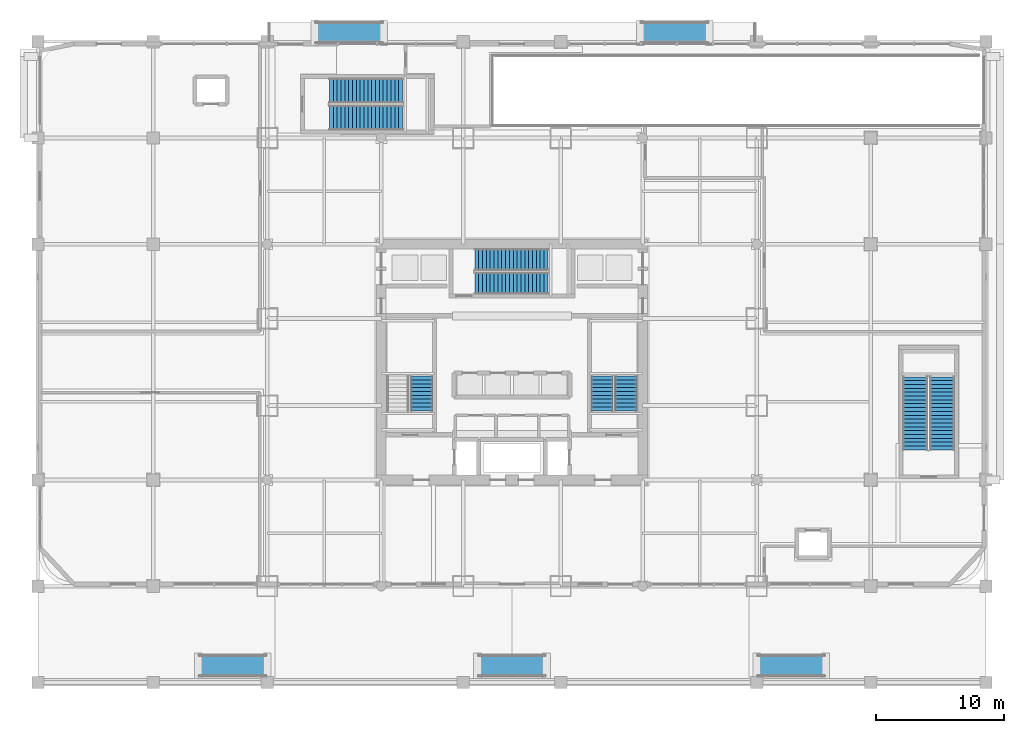
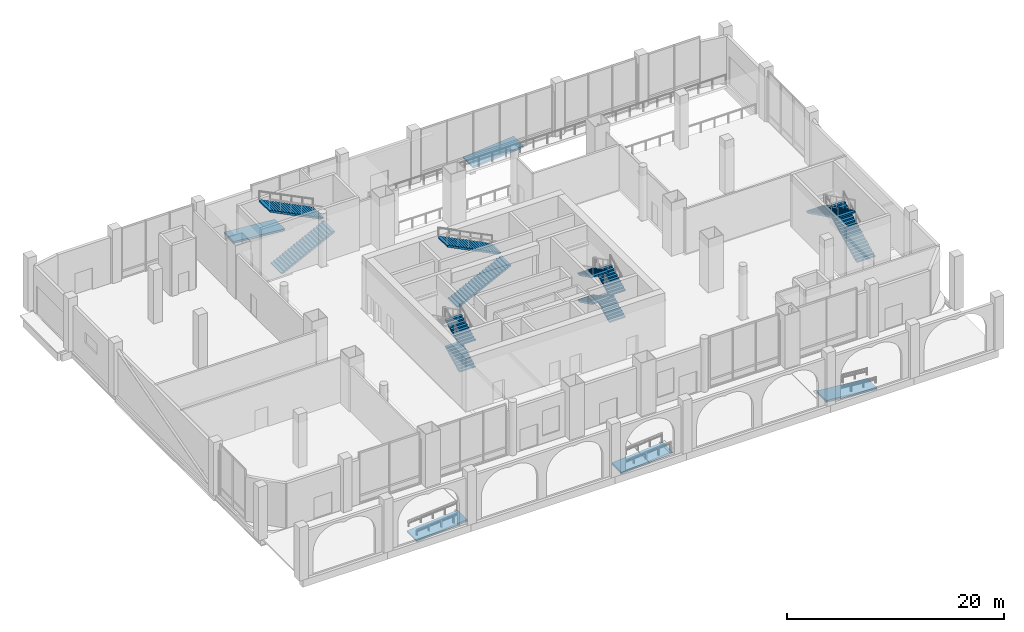
# One storey, part 24 of 32: 12 stair flights, 5 ramp flights, 10 elements without a shape of their own.
"""IFC4 building model written with IfcOpenShell, lengths in metres."""

from ifc_helpers import new_model, si_unit, direction, frame, origin, place, context, subcontext, project, spatial, polyline, outline, extrude, material, layer, layer_set, type_object, element, aggregate, save


model = new_model("IFC4")

# Units and contexts
model_context = context("Model", 3, precision=1e-05, world=origin(), true_north=direction((0.0, 1.0)))
body_context = subcontext(model_context, "Body", "Model", "MODEL_VIEW")
ifc_project = project(units=[si_unit("LENGTHUNIT", "METRE"), si_unit("AREAUNIT", "SQUARE_METRE"), si_unit("VOLUMEUNIT", "CUBIC_METRE"), si_unit("PLANEANGLEUNIT", "RADIAN"), si_unit("MASSUNIT", "GRAM", prefix="KILO")], contexts=[model_context])

# Site, building, storey
site_placement = place(None, origin())
site = spatial("IfcSite", under=ifc_project, at=site_placement, CompositionType="ELEMENT")
building_placement = place(site_placement, origin())
building = spatial("IfcBuilding", under=site, at=building_placement, Name="Punatoya Terracotta Tower", CompositionType="ELEMENT")
storey_placement = place(building_placement, origin())
storey = spatial("IfcBuildingStorey", under=building, at=storey_placement, Name="L00", CompositionType="ELEMENT", Elevation=0.0)

# Stair, stair flights
ifc_material = material(Name="Concrete C40/50", Category="concrete")
stair_type_1 = type_object("IfcStairType", Name="STR-CORE-1550", PredefinedType="HALF_TURN_STAIR", material=ifc_material)
stair_1_placement = place(storey_placement, origin())
stair_1 = element("IfcStair", 1, at=stair_1_placement, inside=storey, type_object=stair_type_1, Name="L00 Protected Core Exit Stair ST-1", PredefinedType="HALF_TURN_STAIR")
stair_flight_type_1 = type_object("IfcStairFlightType", Name="SFL-CORE-1550", PredefinedType="STRAIGHT", material=ifc_material)
stair_flight_1_placement = place(storey_placement, frame((-7.050048828125, -3.800048828125, 0.0), z_axis=(0.0, 0.0, 1.0), x_axis=(0.0, 1.0, 0.0)))
stair_flight_1 = element("IfcStairFlight", 2, at=stair_flight_1_placement, type_object=stair_flight_type_1, Name="ST-1 flight 1", NumberOfRisers=10, NumberOfTreads=9, PredefinedType="STRAIGHT", RiserHeight=0.15, TreadLength=0.3, context=body_context, shape_type="SweptSolid", body=[
    extrude(outline(polyline([(0.0, 0.0), (0.0, 0.14990234375), (0.300048828125, 0.14990234375), (0.300048828125, 0.300048828125), (0.60009765625, 0.300048828125), (0.60009765625, 0.449951171875), (0.89990234375, 0.449951171875), (0.89990234375, 0.60009765625), (1.199951171875, 0.60009765625), (1.199951171875, 0.75), (1.5, 0.75), (1.5, 0.89990234375), (1.800048828125, 0.89990234375), (1.800048828125, 1.050048828125), (2.10009765625, 1.050048828125), (2.10009765625, 1.199951171875), (2.39990234375, 1.199951171875), (2.39990234375, 1.35009765625), (2.699951171875, 1.35009765625), (2.699951171875, 1.5), (2.699951171875, 1.182373046875), (0.335205078125, 0.0), (0.0, 0.0)])), frame((0.0, 0.85009765625, 0.0), z_axis=(0.0, -1.0, 0.0), x_axis=(1.0, 0.0, 0.0)), (0.0, 0.0, 1.0), 1.699951171875),
])
stair_flight_2_placement = place(storey_placement, frame((-7.050048828125, -3.800048828125, 3.0), z_axis=(0.0, 0.0, 1.0), x_axis=(0.0, 1.0, 0.0)))
stair_flight_2 = element("IfcStairFlight", 3, at=stair_flight_2_placement, type_object=stair_flight_type_1, Name="ST-1 flight 3", NumberOfRisers=10, NumberOfTreads=9, PredefinedType="STRAIGHT", RiserHeight=0.15, TreadLength=0.3, context=body_context, shape_type="SweptSolid", body=[
    extrude(outline(polyline([(0.0, 0.0), (0.0, 0.14990234375), (0.300048828125, 0.14990234375), (0.300048828125, 0.300048828125), (0.60009765625, 0.300048828125), (0.60009765625, 0.449951171875), (0.89990234375, 0.449951171875), (0.89990234375, 0.60009765625), (1.199951171875, 0.60009765625), (1.199951171875, 0.75), (1.5, 0.75), (1.5, 0.89990234375), (1.800048828125, 0.89990234375), (1.800048828125, 1.050048828125), (2.10009765625, 1.050048828125), (2.10009765625, 1.199951171875), (2.39990234375, 1.199951171875), (2.39990234375, 1.35009765625), (2.699951171875, 1.35009765625), (2.699951171875, 1.5), (2.699951171875, 1.182373046875), (0.335205078125, 0.0), (0.0, 0.0)])), frame((0.0, 0.85009765625, 0.0), z_axis=(0.0, -1.0, 0.0), x_axis=(1.0, 0.0, 0.0)), (0.0, 0.0, 1.0), 1.699951171875),
])
aggregate(stair_1, [stair_flight_1, stair_flight_2])

stair_type_2 = type_object("IfcStairType", Name="STR-LOB-1650", PredefinedType="HALF_TURN_STAIR", material=ifc_material)
stair_2_placement = place(storey_placement, origin())
stair_2 = element("IfcStair", 4, at=stair_2_placement, inside=storey, type_object=stair_type_2, Name="L00 Protected Core Exit Stair ST-2", PredefinedType="HALF_TURN_STAIR")
stair_flight_type_2 = type_object("IfcStairFlightType", Name="SFL-LOB-1650", PredefinedType="STRAIGHT", material=ifc_material)
stair_flight_3_placement = place(storey_placement, frame((8.89990234375, -3.800048828125, 0.0), z_axis=(0.0, 0.0, 1.0), x_axis=(0.0, 1.0, 0.0)))
stair_flight_3 = element("IfcStairFlight", 5, at=stair_flight_3_placement, type_object=stair_flight_type_2, Name="ST-2 flight 1", NumberOfRisers=10, NumberOfTreads=9, PredefinedType="STRAIGHT", RiserHeight=0.15, TreadLength=0.3, context=body_context, shape_type="SweptSolid", body=[
    extrude(outline(polyline([(0.0, 0.0), (0.0, 0.14990234375), (0.300048828125, 0.14990234375), (0.300048828125, 0.300048828125), (0.60009765625, 0.300048828125), (0.60009765625, 0.449951171875), (0.89990234375, 0.449951171875), (0.89990234375, 0.60009765625), (1.199951171875, 0.60009765625), (1.199951171875, 0.75), (1.5, 0.75), (1.5, 0.89990234375), (1.800048828125, 0.89990234375), (1.800048828125, 1.050048828125), (2.10009765625, 1.050048828125), (2.10009765625, 1.199951171875), (2.39990234375, 1.199951171875), (2.39990234375, 1.35009765625), (2.699951171875, 1.35009765625), (2.699951171875, 1.5), (2.699951171875, 1.182373046875), (0.335205078125, 0.0), (0.0, 0.0)])), frame((0.0, 0.85009765625, 0.0), z_axis=(0.0, -1.0, 0.0), x_axis=(1.0, 0.0, 0.0)), (0.0, 0.0, 1.0), 1.699951171875),
])
stair_flight_4_placement = place(storey_placement, frame((7.050048828125, -1.10009765625, 1.5), z_axis=(0.0, 0.0, 1.0), x_axis=(0.0, -1.0, 0.0)))
stair_flight_4 = element("IfcStairFlight", 6, at=stair_flight_4_placement, type_object=stair_flight_type_2, Name="ST-2 flight 2", NumberOfRisers=10, NumberOfTreads=9, PredefinedType="STRAIGHT", RiserHeight=0.15, TreadLength=0.3, context=body_context, shape_type="SweptSolid", body=[
    extrude(outline(polyline([(0.0, 0.0), (0.0, 0.14990234375), (0.300048828125, 0.14990234375), (0.300048828125, 0.300048828125), (0.60009765625, 0.300048828125), (0.60009765625, 0.449951171875), (0.89990234375, 0.449951171875), (0.89990234375, 0.60009765625), (1.199951171875, 0.60009765625), (1.199951171875, 0.75), (1.5, 0.75), (1.5, 0.89990234375), (1.800048828125, 0.89990234375), (1.800048828125, 1.050048828125), (2.10009765625, 1.050048828125), (2.10009765625, 1.199951171875), (2.39990234375, 1.199951171875), (2.39990234375, 1.35009765625), (2.699951171875, 1.35009765625), (2.699951171875, 1.5), (2.699951171875, 1.182373046875), (0.335205078125, 0.0), (0.0, 0.0)])), frame((0.0, 0.85009765625, 0.0), z_axis=(0.0, -1.0, 0.0), x_axis=(1.0, 0.0, 0.0)), (0.0, 0.0, 1.0), 1.699951171875),
])
stair_flight_5_placement = place(storey_placement, frame((8.89990234375, -3.800048828125, 3.0), z_axis=(0.0, 0.0, 1.0), x_axis=(0.0, 1.0, 0.0)))
stair_flight_5 = element("IfcStairFlight", 7, at=stair_flight_5_placement, type_object=stair_flight_type_2, Name="ST-2 flight 3", NumberOfRisers=10, NumberOfTreads=9, PredefinedType="STRAIGHT", RiserHeight=0.15, TreadLength=0.3, context=body_context, shape_type="SweptSolid", body=[
    extrude(outline(polyline([(0.0, 0.0), (0.0, 0.14990234375), (0.300048828125, 0.14990234375), (0.300048828125, 0.300048828125), (0.60009765625, 0.300048828125), (0.60009765625, 0.449951171875), (0.89990234375, 0.449951171875), (0.89990234375, 0.60009765625), (1.199951171875, 0.60009765625), (1.199951171875, 0.75), (1.5, 0.75), (1.5, 0.89990234375), (1.800048828125, 0.89990234375), (1.800048828125, 1.050048828125), (2.10009765625, 1.050048828125), (2.10009765625, 1.199951171875), (2.39990234375, 1.199951171875), (2.39990234375, 1.35009765625), (2.699951171875, 1.35009765625), (2.699951171875, 1.5), (2.699951171875, 1.182373046875), (0.335205078125, 0.0), (0.0, 0.0)])), frame((0.0, 0.85009765625, 0.0), z_axis=(0.0, -1.0, 0.0), x_axis=(1.0, 0.0, 0.0)), (0.0, 0.0, 1.0), 1.699951171875),
])
stair_flight_6_placement = place(storey_placement, frame((7.050048828125, -1.10009765625, 4.5), z_axis=(0.0, 0.0, 1.0), x_axis=(0.0, -1.0, 0.0)))
stair_flight_6 = element("IfcStairFlight", 8, at=stair_flight_6_placement, type_object=stair_flight_type_2, Name="ST-2 flight 4", NumberOfRisers=10, NumberOfTreads=9, PredefinedType="STRAIGHT", RiserHeight=0.15, TreadLength=0.3, context=body_context, shape_type="SweptSolid", body=[
    extrude(outline(polyline([(0.0, 0.0), (0.0, 0.14990234375), (0.300048828125, 0.14990234375), (0.300048828125, 0.300048828125), (0.60009765625, 0.300048828125), (0.60009765625, 0.449951171875), (0.89990234375, 0.449951171875), (0.89990234375, 0.60009765625), (1.199951171875, 0.60009765625), (1.199951171875, 0.75), (1.5, 0.75), (1.5, 0.89990234375), (1.800048828125, 0.89990234375), (1.800048828125, 1.050048828125), (2.10009765625, 1.050048828125), (2.10009765625, 1.199951171875), (2.39990234375, 1.199951171875), (2.39990234375, 1.35009765625), (2.699951171875, 1.35009765625), (2.699951171875, 1.5), (2.699951171875, 1.182373046875), (0.335205078125, 0.0), (0.0, 0.0)])), frame((0.0, 0.85009765625, 0.0), z_axis=(0.0, -1.0, 0.0), x_axis=(1.0, 0.0, 0.0)), (0.0, 0.0, 1.0), 1.699951171875),
])
aggregate(stair_2, [stair_flight_3, stair_flight_4, stair_flight_5, stair_flight_6])

stair_type_3 = type_object("IfcStairType", Name="STR-POD-1800", PredefinedType="HALF_TURN_STAIR", material=ifc_material)
stair_3_placement = place(storey_placement, origin())
stair_3 = element("IfcStair", 9, at=stair_3_placement, inside=storey, type_object=stair_type_3, Name="L00 Podium North-West Exit Stair ST-P1", PredefinedType="HALF_TURN_STAIR")
stair_flight_type_3 = type_object("IfcStairFlightType", Name="SFL-POD-1800", PredefinedType="STRAIGHT", material=ifc_material)
stair_flight_7_placement = place(storey_placement, frame((-14.25, 19.074951171875, 0.0), z_axis=(0.0, 0.0, 1.0), x_axis=(1.0, 0.0, 0.0)))
stair_flight_7 = element("IfcStairFlight", 10, at=stair_flight_7_placement, type_object=stair_flight_type_3, Name="ST-P1 flight 1", NumberOfRisers=20, NumberOfTreads=19, PredefinedType="STRAIGHT", RiserHeight=0.15, TreadLength=0.3, context=body_context, shape_type="SweptSolid", body=[
    extrude(outline(polyline([(0.0, 0.0), (0.0, 0.14990234375), (0.300048828125, 0.14990234375), (0.300048828125, 0.300048828125), (0.60009765625, 0.300048828125), (0.60009765625, 0.449951171875), (0.89990234375, 0.449951171875), (0.89990234375, 0.60009765625), (1.199951171875, 0.60009765625), (1.199951171875, 0.75), (1.5, 0.75), (1.5, 0.89990234375), (1.800048828125, 0.89990234375), (1.800048828125, 1.050048828125), (2.10009765625, 1.050048828125), (2.10009765625, 1.199951171875), (2.39990234375, 1.199951171875), (2.39990234375, 1.35009765625), (2.699951171875, 1.35009765625), (2.699951171875, 1.5), (3.0, 1.5), (3.0, 1.64990234375), (3.300048828125, 1.64990234375), (3.300048828125, 1.800048828125), (3.60009765625, 1.800048828125), (3.60009765625, 1.949951171875), (3.89990234375, 1.949951171875), (3.89990234375, 2.10009765625), (4.199951171875, 2.10009765625), (4.199951171875, 2.25), (4.5, 2.25), (4.5, 2.39990234375), (4.800048828125, 2.39990234375), (4.800048828125, 2.550048828125), (5.10009765625, 2.550048828125), (5.10009765625, 2.699951171875), (5.39990234375, 2.699951171875), (5.39990234375, 2.85009765625), (5.699951171875, 2.85009765625), (5.699951171875, 3.0), (5.699951171875, 2.682373046875), (0.335205078125, 0.0), (0.0, 0.0)])), frame((0.0, 0.97509765625, 0.0), z_axis=(0.0, -1.0, 0.0), x_axis=(1.0, 0.0, 0.0)), (0.0, 0.0, 1.0), 1.949951171875),
])
stair_flight_8_placement = place(storey_placement, frame((-8.550048828125, 21.175048828125, 3.0), z_axis=(0.0, 0.0, 1.0), x_axis=(-1.0, 0.0, 0.0)))
stair_flight_8 = element("IfcStairFlight", 11, at=stair_flight_8_placement, type_object=stair_flight_type_3, Name="ST-P1 flight 2", NumberOfRisers=20, NumberOfTreads=19, PredefinedType="STRAIGHT", RiserHeight=0.15, TreadLength=0.3, context=body_context, shape_type="SweptSolid", body=[
    extrude(outline(polyline([(0.0, 0.0), (0.0, 0.14990234375), (0.300048828125, 0.14990234375), (0.300048828125, 0.300048828125), (0.60009765625, 0.300048828125), (0.60009765625, 0.449951171875), (0.89990234375, 0.449951171875), (0.89990234375, 0.60009765625), (1.199951171875, 0.60009765625), (1.199951171875, 0.75), (1.5, 0.75), (1.5, 0.89990234375), (1.800048828125, 0.89990234375), (1.800048828125, 1.050048828125), (2.10009765625, 1.050048828125), (2.10009765625, 1.199951171875), (2.39990234375, 1.199951171875), (2.39990234375, 1.35009765625), (2.699951171875, 1.35009765625), (2.699951171875, 1.5), (3.0, 1.5), (3.0, 1.64990234375), (3.300048828125, 1.64990234375), (3.300048828125, 1.800048828125), (3.60009765625, 1.800048828125), (3.60009765625, 1.949951171875), (3.89990234375, 1.949951171875), (3.89990234375, 2.10009765625), (4.199951171875, 2.10009765625), (4.199951171875, 2.25), (4.5, 2.25), (4.5, 2.39990234375), (4.800048828125, 2.39990234375), (4.800048828125, 2.550048828125), (5.10009765625, 2.550048828125), (5.10009765625, 2.699951171875), (5.39990234375, 2.699951171875), (5.39990234375, 2.85009765625), (5.699951171875, 2.85009765625), (5.699951171875, 3.0), (5.699951171875, 2.682373046875), (0.335205078125, 0.0), (0.0, 0.0)])), frame((0.0, 0.97509765625, 0.0), z_axis=(0.0, -1.0, 0.0), x_axis=(1.0, 0.0, 0.0)), (0.0, 0.0, 1.0), 1.949951171875),
])
aggregate(stair_3, [stair_flight_7, stair_flight_8])

stair_4_placement = place(storey_placement, origin())
stair_4 = element("IfcStair", 12, at=stair_4_placement, inside=storey, type_object=stair_type_3, Name="L00 Podium East Exit Stair ST-P2", PredefinedType="HALF_TURN_STAIR")
stair_flight_9_placement = place(storey_placement, frame((33.574951171875, -6.85009765625, 0.0), z_axis=(0.0, 0.0, 1.0), x_axis=(0.0, 1.0, 0.0)))
stair_flight_9 = element("IfcStairFlight", 13, at=stair_flight_9_placement, type_object=stair_flight_type_3, Name="ST-P2 flight 1", NumberOfRisers=20, NumberOfTreads=19, PredefinedType="STRAIGHT", RiserHeight=0.15, TreadLength=0.3, context=body_context, shape_type="SweptSolid", body=[
    extrude(outline(polyline([(0.0, 0.0), (0.0, 0.14990234375), (0.300048828125, 0.14990234375), (0.300048828125, 0.300048828125), (0.60009765625, 0.300048828125), (0.60009765625, 0.449951171875), (0.89990234375, 0.449951171875), (0.89990234375, 0.60009765625), (1.199951171875, 0.60009765625), (1.199951171875, 0.75), (1.5, 0.75), (1.5, 0.89990234375), (1.800048828125, 0.89990234375), (1.800048828125, 1.050048828125), (2.10009765625, 1.050048828125), (2.10009765625, 1.199951171875), (2.39990234375, 1.199951171875), (2.39990234375, 1.35009765625), (2.699951171875, 1.35009765625), (2.699951171875, 1.5), (3.0, 1.5), (3.0, 1.64990234375), (3.300048828125, 1.64990234375), (3.300048828125, 1.800048828125), (3.60009765625, 1.800048828125), (3.60009765625, 1.949951171875), (3.89990234375, 1.949951171875), (3.89990234375, 2.10009765625), (4.199951171875, 2.10009765625), (4.199951171875, 2.25), (4.5, 2.25), (4.5, 2.39990234375), (4.800048828125, 2.39990234375), (4.800048828125, 2.550048828125), (5.10009765625, 2.550048828125), (5.10009765625, 2.699951171875), (5.39990234375, 2.699951171875), (5.39990234375, 2.85009765625), (5.699951171875, 2.85009765625), (5.699951171875, 3.0), (5.699951171875, 2.682373046875), (0.335205078125, 0.0), (0.0, 0.0)])), frame((0.0, 0.97509765625, 0.0), z_axis=(0.0, -1.0, 0.0), x_axis=(1.0, 0.0, 0.0)), (0.0, 0.0, 1.0), 1.949951171875),
])
stair_flight_10_placement = place(storey_placement, frame((31.47509765625, -1.14990234375, 3.0), z_axis=(0.0, 0.0, 1.0), x_axis=(0.0, -1.0, 0.0)))
stair_flight_10 = element("IfcStairFlight", 14, at=stair_flight_10_placement, type_object=stair_flight_type_3, Name="ST-P2 flight 2", NumberOfRisers=20, NumberOfTreads=19, PredefinedType="STRAIGHT", RiserHeight=0.15, TreadLength=0.3, context=body_context, shape_type="SweptSolid", body=[
    extrude(outline(polyline([(0.0, 0.0), (0.0, 0.14990234375), (0.300048828125, 0.14990234375), (0.300048828125, 0.300048828125), (0.60009765625, 0.300048828125), (0.60009765625, 0.449951171875), (0.89990234375, 0.449951171875), (0.89990234375, 0.60009765625), (1.199951171875, 0.60009765625), (1.199951171875, 0.75), (1.5, 0.75), (1.5, 0.89990234375), (1.800048828125, 0.89990234375), (1.800048828125, 1.050048828125), (2.10009765625, 1.050048828125), (2.10009765625, 1.199951171875), (2.39990234375, 1.199951171875), (2.39990234375, 1.35009765625), (2.699951171875, 1.35009765625), (2.699951171875, 1.5), (3.0, 1.5), (3.0, 1.64990234375), (3.300048828125, 1.64990234375), (3.300048828125, 1.800048828125), (3.60009765625, 1.800048828125), (3.60009765625, 1.949951171875), (3.89990234375, 1.949951171875), (3.89990234375, 2.10009765625), (4.199951171875, 2.10009765625), (4.199951171875, 2.25), (4.5, 2.25), (4.5, 2.39990234375), (4.800048828125, 2.39990234375), (4.800048828125, 2.550048828125), (5.10009765625, 2.550048828125), (5.10009765625, 2.699951171875), (5.39990234375, 2.699951171875), (5.39990234375, 2.85009765625), (5.699951171875, 2.85009765625), (5.699951171875, 3.0), (5.699951171875, 2.682373046875), (0.335205078125, 0.0), (0.0, 0.0)])), frame((0.0, 0.97509765625, 0.0), z_axis=(0.0, -1.0, 0.0), x_axis=(1.0, 0.0, 0.0)), (0.0, 0.0, 1.0), 1.949951171875),
])
aggregate(stair_4, [stair_flight_9, stair_flight_10])

stair_type_4 = type_object("IfcStairType", Name="STR-TER-1450", PredefinedType="HALF_TURN_STAIR", material=ifc_material)
stair_5_placement = place(storey_placement, origin())
stair_5 = element("IfcStair", 15, at=stair_5_placement, inside=storey, type_object=stair_type_4, Name="L00 Protected Core Exit Stair ST-3", PredefinedType="HALF_TURN_STAIR")
stair_flight_type_4 = type_object("IfcStairFlightType", Name="SFL-TER-1450", PredefinedType="STRAIGHT", material=ifc_material)
stair_flight_11_placement = place(storey_placement, frame((-2.89990234375, 6.14990234375, 0.0), z_axis=(0.0, 0.0, 1.0), x_axis=(1.0, 0.0, 0.0)))
stair_flight_11 = element("IfcStairFlight", 16, at=stair_flight_11_placement, type_object=stair_flight_type_4, Name="ST-3 flight 1", NumberOfRisers=20, NumberOfTreads=19, PredefinedType="STRAIGHT", RiserHeight=0.15, TreadLength=0.3, context=body_context, shape_type="SweptSolid", body=[
    extrude(outline(polyline([(0.0, 0.0), (0.0, 0.14990234375), (0.300048828125, 0.14990234375), (0.300048828125, 0.300048828125), (0.60009765625, 0.300048828125), (0.60009765625, 0.449951171875), (0.89990234375, 0.449951171875), (0.89990234375, 0.60009765625), (1.199951171875, 0.60009765625), (1.199951171875, 0.75), (1.5, 0.75), (1.5, 0.89990234375), (1.800048828125, 0.89990234375), (1.800048828125, 1.050048828125), (2.10009765625, 1.050048828125), (2.10009765625, 1.199951171875), (2.39990234375, 1.199951171875), (2.39990234375, 1.35009765625), (2.699951171875, 1.35009765625), (2.699951171875, 1.5), (3.0, 1.5), (3.0, 1.64990234375), (3.300048828125, 1.64990234375), (3.300048828125, 1.800048828125), (3.60009765625, 1.800048828125), (3.60009765625, 1.949951171875), (3.89990234375, 1.949951171875), (3.89990234375, 2.10009765625), (4.199951171875, 2.10009765625), (4.199951171875, 2.25), (4.5, 2.25), (4.5, 2.39990234375), (4.800048828125, 2.39990234375), (4.800048828125, 2.550048828125), (5.10009765625, 2.550048828125), (5.10009765625, 2.699951171875), (5.39990234375, 2.699951171875), (5.39990234375, 2.85009765625), (5.699951171875, 2.85009765625), (5.699951171875, 3.0), (5.699951171875, 2.682373046875), (0.335205078125, 0.0), (0.0, 0.0)])), frame((0.0, 0.85009765625, 0.0), z_axis=(0.0, -1.0, 0.0), x_axis=(1.0, 0.0, 0.0)), (0.0, 0.0, 1.0), 1.699951171875),
])
stair_flight_12_placement = place(storey_placement, frame((2.800048828125, 8.0, 3.0), z_axis=(0.0, 0.0, 1.0), x_axis=(-1.0, 0.0, 0.0)))
stair_flight_12 = element("IfcStairFlight", 17, at=stair_flight_12_placement, type_object=stair_flight_type_4, Name="ST-3 flight 2", NumberOfRisers=20, NumberOfTreads=19, PredefinedType="STRAIGHT", RiserHeight=0.15, TreadLength=0.3, context=body_context, shape_type="SweptSolid", body=[
    extrude(outline(polyline([(0.0, 0.0), (0.0, 0.14990234375), (0.300048828125, 0.14990234375), (0.300048828125, 0.300048828125), (0.60009765625, 0.300048828125), (0.60009765625, 0.449951171875), (0.89990234375, 0.449951171875), (0.89990234375, 0.60009765625), (1.199951171875, 0.60009765625), (1.199951171875, 0.75), (1.5, 0.75), (1.5, 0.89990234375), (1.800048828125, 0.89990234375), (1.800048828125, 1.050048828125), (2.10009765625, 1.050048828125), (2.10009765625, 1.199951171875), (2.39990234375, 1.199951171875), (2.39990234375, 1.35009765625), (2.699951171875, 1.35009765625), (2.699951171875, 1.5), (3.0, 1.5), (3.0, 1.64990234375), (3.300048828125, 1.64990234375), (3.300048828125, 1.800048828125), (3.60009765625, 1.800048828125), (3.60009765625, 1.949951171875), (3.89990234375, 1.949951171875), (3.89990234375, 2.10009765625), (4.199951171875, 2.10009765625), (4.199951171875, 2.25), (4.5, 2.25), (4.5, 2.39990234375), (4.800048828125, 2.39990234375), (4.800048828125, 2.550048828125), (5.10009765625, 2.550048828125), (5.10009765625, 2.699951171875), (5.39990234375, 2.699951171875), (5.39990234375, 2.85009765625), (5.699951171875, 2.85009765625), (5.699951171875, 3.0), (5.699951171875, 2.682373046875), (0.335205078125, 0.0), (0.0, 0.0)])), frame((0.0, 0.85009765625, 0.0), z_axis=(0.0, -1.0, 0.0), x_axis=(1.0, 0.0, 0.0)), (0.0, 0.0, 1.0), 1.699951171875),
])
aggregate(stair_5, [stair_flight_11, stair_flight_12])

# Ramp, ramp flight
ramp_type = type_object("IfcRampType", Name="RMP-PED-1800", PredefinedType="STRAIGHT_RUN_RAMP", material=ifc_material)
ramp_1_placement = place(storey_placement, origin())
ramp_1 = element("IfcRamp", 18, at=ramp_1_placement, inside=storey, type_object=ramp_type, Name="South-West Promenade Accessible Ramp", PredefinedType="STRAIGHT_RUN_RAMP")
ifc_layer = layer(ifc_material, 0.219970703125)
ifc_layer_set = layer_set([ifc_layer], Name="Concrete C40/50")
ramp_flight_type = type_object("IfcRampFlightType", Name="RFL-PED-1800", PredefinedType="STRAIGHT", material=ifc_layer_set)
ramp_flight_1_placement = place(storey_placement, frame((-24.5, -24.60009765625, -0.449951171875), z_axis=(-0.083038022323, 0.0, 0.996546379678), x_axis=(0.996546379678, 0.0, 0.083038022323)))
ramp_flight_1 = element("IfcRampFlight", 19, at=ramp_flight_1_placement, type_object=ramp_flight_type, Name="South-West Promenade Accessible Ramp Flight", PredefinedType="STRAIGHT", context=body_context, shape_type="SweptSolid", body=[
    extrude(outline(polyline([(0.0, 0.0), (5.418701171875, 0.0), (5.418701171875, 1.800048828125), (0.0, 1.800048828125), (0.0, 0.0)])), origin(), (0.0, 0.0, -1.0), 0.219970703125),
])
aggregate(ramp_1, [ramp_flight_1])

ramp_2_placement = place(storey_placement, origin())
ramp_2 = element("IfcRamp", 20, at=ramp_2_placement, inside=storey, type_object=ramp_type, Name="South-East Promenade Accessible Ramp", PredefinedType="STRAIGHT_RUN_RAMP")
ramp_flight_2_placement = place(storey_placement, frame((19.10009765625, -24.60009765625, 0.0), z_axis=(0.083038022323, 0.0, 0.996546379678), x_axis=(0.996546379678, 0.0, -0.083038022323)))
ramp_flight_2 = element("IfcRampFlight", 21, at=ramp_flight_2_placement, type_object=ramp_flight_type, Name="South-East Promenade Accessible Ramp Flight", PredefinedType="STRAIGHT", context=body_context, shape_type="SweptSolid", body=[
    extrude(outline(polyline([(0.0, 0.0), (5.418701171875, 0.0), (5.418701171875, 1.800048828125), (0.0, 1.800048828125), (0.0, 0.0)])), origin(), (0.0, 0.0, -1.0), 0.219970703125),
])
aggregate(ramp_2, [ramp_flight_2])

ramp_3_placement = place(storey_placement, origin())
ramp_3 = element("IfcRamp", 22, at=ramp_3_placement, inside=storey, type_object=ramp_type, Name="North-West Drop-Off Accessible Ramp", PredefinedType="STRAIGHT_RUN_RAMP")
ramp_flight_3_placement = place(storey_placement, frame((-15.39990234375, 24.800048828125, 0.0), z_axis=(0.083038022323, 0.0, 0.996546379678), x_axis=(0.996546379678, 0.0, -0.083038022323)))
ramp_flight_3 = element("IfcRampFlight", 23, at=ramp_flight_3_placement, type_object=ramp_flight_type, Name="North-West Drop-Off Accessible Ramp Flight", PredefinedType="STRAIGHT", context=body_context, shape_type="SweptSolid", body=[
    extrude(outline(polyline([(0.0, 0.0), (5.418701171875, 0.0), (5.418701171875, 1.800048828125), (0.0, 1.800048828125), (0.0, 0.0)])), origin(), (0.0, 0.0, -1.0), 0.219970703125),
])
aggregate(ramp_3, [ramp_flight_3])

ramp_4_placement = place(storey_placement, origin())
ramp_4 = element("IfcRamp", 24, at=ramp_4_placement, inside=storey, type_object=ramp_type, Name="North-East Drop-Off Accessible Ramp", PredefinedType="STRAIGHT_RUN_RAMP")
ramp_flight_4_placement = place(storey_placement, frame((10.0, 24.800048828125, -0.449951171875), z_axis=(-0.083038022323, 0.0, 0.996546379678), x_axis=(0.996546379678, 0.0, 0.083038022323)))
ramp_flight_4 = element("IfcRampFlight", 25, at=ramp_flight_4_placement, type_object=ramp_flight_type, Name="North-East Drop-Off Accessible Ramp Flight", PredefinedType="STRAIGHT", context=body_context, shape_type="SweptSolid", body=[
    extrude(outline(polyline([(0.0, 0.0), (5.418701171875, 0.0), (5.418701171875, 1.800048828125), (0.0, 1.800048828125), (0.0, 0.0)])), origin(), (0.0, 0.0, -1.0), 0.219970703125),
])
aggregate(ramp_4, [ramp_flight_4])

ramp_5_placement = place(storey_placement, origin())
ramp_5 = element("IfcRamp", 26, at=ramp_5_placement, inside=storey, type_object=ramp_type, Name="Central Canal Promenade Accessible Ramp", PredefinedType="STRAIGHT_RUN_RAMP")
ramp_flight_5_placement = place(storey_placement, frame((-2.699951171875, -24.60009765625, -0.449951171875), z_axis=(-0.083038022323, 0.0, 0.996546379678), x_axis=(0.996546379678, 0.0, 0.083038022323)))
ramp_flight_5 = element("IfcRampFlight", 27, at=ramp_flight_5_placement, type_object=ramp_flight_type, Name="Central Canal Promenade Accessible Ramp Flight", PredefinedType="STRAIGHT", context=body_context, shape_type="SweptSolid", body=[
    extrude(outline(polyline([(0.0, 0.0), (5.418701171875, 0.0), (5.418701171875, 1.800048828125), (0.0, 1.800048828125), (0.0, 0.0)])), origin(), (0.0, 0.0, -1.0), 0.219970703125),
])
aggregate(ramp_5, [ramp_flight_5])

save(model, "model.ifc")
